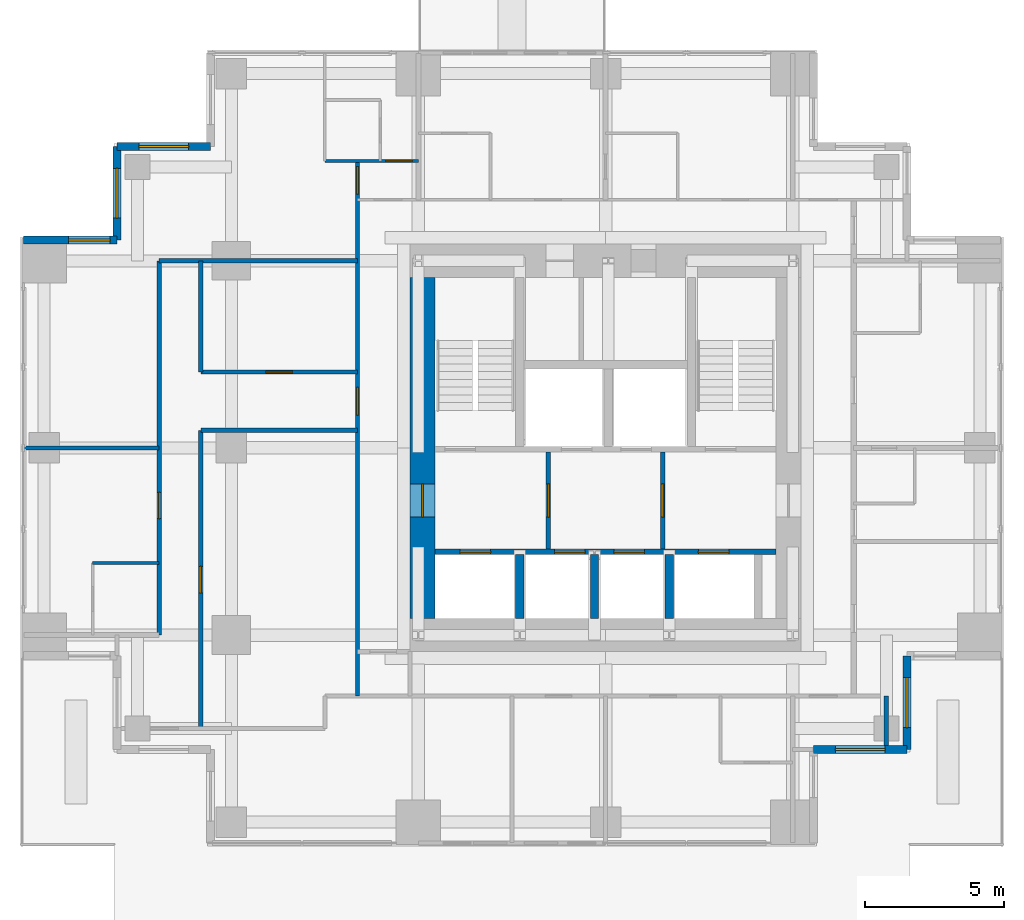
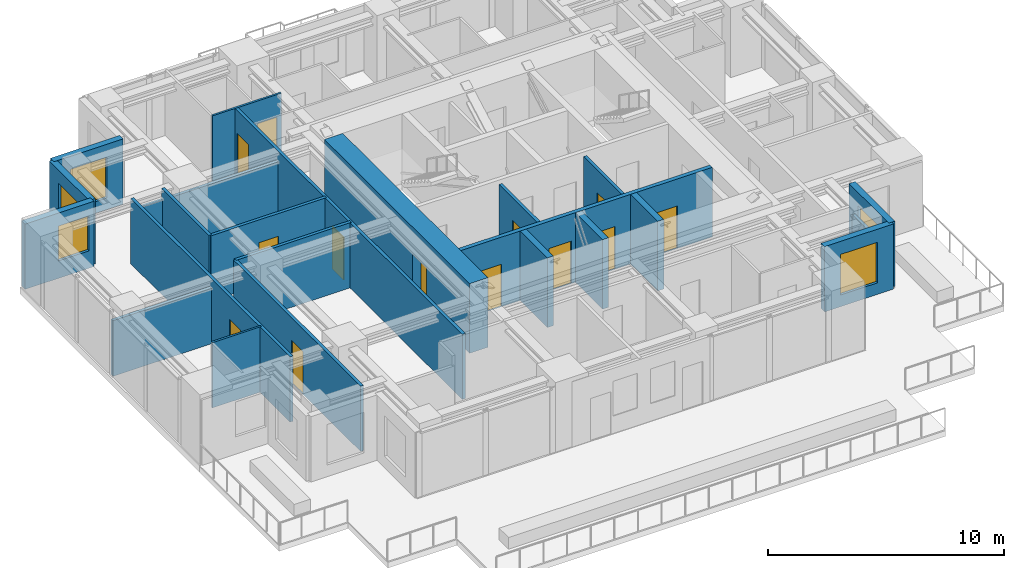
# One storey, part 4 of 7: 23 walls, 13 doors, 5 windows, 18 openings.
"""IFC4 building model written with IfcOpenShell, lengths in metres."""

from ifc_helpers import new_model, si_unit, direction, frame, frame_2d, origin, place, context, subcontext, project, spatial, rectangle, extrude, material, layer, layer_set, type_object, element, fill, save


model = new_model("IFC4")

# Units and contexts
model_context = context("Model", 3, precision=1e-05, world=origin(), true_north=direction((0.0, 1.0)))
body_context = subcontext(model_context, "Body", "Model", "MODEL_VIEW")
ifc_project = project(units=[si_unit("LENGTHUNIT", "METRE"), si_unit("AREAUNIT", "SQUARE_METRE"), si_unit("VOLUMEUNIT", "CUBIC_METRE"), si_unit("PLANEANGLEUNIT", "RADIAN"), si_unit("MASSUNIT", "GRAM", prefix="KILO")], contexts=[model_context])

# Site, building, storey
site_placement = place(None, origin())
site = spatial("IfcSite", under=ifc_project, at=site_placement, CompositionType="ELEMENT")
building_placement = place(site_placement, origin())
building = spatial("IfcBuilding", under=site, at=building_placement, Name="Nyansa Garden Tower", CompositionType="ELEMENT")
storey_placement = place(building_placement, frame((0.0, 0.0, 204.300048828125)))
storey = spatial("IfcBuildingStorey", under=building, at=storey_placement, Name="L55", CompositionType="ELEMENT", Elevation=204.300048828125)

# Wall, openings, doors
ifc_material_1 = material(Name="Concrete C70/85", Category="concrete")
ifc_layer_1 = layer(ifc_material_1, 0.199951171875)
ifc_layer_set_1 = layer_set([ifc_layer_1], Name="Core inner wall CI200")
wall_type_1 = type_object("IfcWallType", Name="Core inner wall CI200", PredefinedType="SHEAR", material=ifc_layer_set_1)
wall_1_placement = place(storey_placement, frame((14.10009765625, 16.5, 0.0), z_axis=(0.0, 0.0, 1.0), x_axis=(1.0, 0.0, 0.0)))
wall_1 = element("IfcWall", 1, at=wall_1_placement, inside=storey, type_object=wall_type_1, Name="Core inner wall L55", PredefinedType="SHEAR", context=body_context, shape_type="SweptSolid", body=[
    extrude(rectangle(XDim=12.2998046875, YDim=0.199951171875, at=frame_2d((6.14990234375, 0.0))), origin(), (0.0, 0.0, 1.0), 3.599853515625),
])
opening_1_placement = place(wall_1_placement, frame((0.89990234375, 0.0, 0.0)))
opening_1 = element("IfcOpeningElement", 2, at=opening_1_placement, cuts=wall_1, Name="Opening LD-F", PredefinedType="OPENING", context=body_context, shape_type="SweptSolid", body=[
    extrude(rectangle(XDim=1.10009765625, YDim=2.199951171875, at=frame_2d((0.550048828125, 1.10009765625))), frame((0.0, 0.10986328125, 0.0), z_axis=(0.0, -1.0, 0.0), x_axis=(1.0, 0.0, 0.0)), (0.0, 0.0, 1.0), 0.219970703125),
])
opening_2_placement = place(wall_1_placement, frame((4.31005859375, 0.0, 0.0)))
opening_2 = element("IfcOpeningElement", 3, at=opening_2_placement, cuts=wall_1, Name="Opening LD-B", PredefinedType="OPENING", context=body_context, shape_type="SweptSolid", body=[
    extrude(rectangle(XDim=1.10009765625, YDim=2.199951171875, at=frame_2d((0.550048828125, 1.10009765625))), frame((0.0, 0.10986328125, 0.0), z_axis=(0.0, -1.0, 0.0), x_axis=(1.0, 0.0, 0.0)), (0.0, 0.0, 1.0), 0.219970703125),
])
opening_3_placement = place(wall_1_placement, frame((6.449951171875, 0.0, 0.0)))
opening_3 = element("IfcOpeningElement", 4, at=opening_3_placement, cuts=wall_1, Name="Opening LD-B", PredefinedType="OPENING", context=body_context, shape_type="SweptSolid", body=[
    extrude(rectangle(XDim=1.10009765625, YDim=2.199951171875, at=frame_2d((0.550048828125, 1.10009765625))), frame((0.0, 0.10986328125, 0.0), z_axis=(0.0, -1.0, 0.0), x_axis=(1.0, 0.0, 0.0)), (0.0, 0.0, 1.0), 0.219970703125),
])
opening_4_placement = place(wall_1_placement, frame((9.5, 0.0, 0.0)))
opening_4 = element("IfcOpeningElement", 5, at=opening_4_placement, cuts=wall_1, Name="Opening LD-F", PredefinedType="OPENING", context=body_context, shape_type="SweptSolid", body=[
    extrude(rectangle(XDim=1.10009765625, YDim=2.199951171875, at=frame_2d((0.550048828125, 1.10009765625))), frame((0.0, 0.10986328125, 0.0), z_axis=(0.0, -1.0, 0.0), x_axis=(1.0, 0.0, 0.0)), (0.0, 0.0, 1.0), 0.219970703125),
])
ifc_material_2 = material(Name="Stainless steel centre-opening landing door of the high-rise lift, E 120", Category="steel")
door_type_1 = type_object("IfcDoorType", Name="Lift landing door LD-B 1100x2200", OperationType="DOUBLE_DOOR_SLIDING", PredefinedType="DOOR", material=ifc_material_2)
door_1_placement = place(opening_2_placement, origin())
door_1 = element("IfcDoor", 6, at=door_1_placement, inside=storey, type_object=door_type_1, Name="Landing door B1", OperationType="DOUBLE_DOOR_SLIDING", OverallHeight=2.199951171875, OverallWidth=1.10009765625, PredefinedType="DOOR", context=body_context, shape_type="SweptSolid", body=[
    extrude(rectangle(XDim=1.10009765625, YDim=2.199951171875, at=frame_2d((0.550048828125, 1.10009765625))), frame((0.0, 0.02490234375, 0.0), z_axis=(0.0, -1.0, 0.0), x_axis=(1.0, 0.0, 0.0)), (0.0, 0.0, 1.0), 0.050048828125),
])
fill(opening_2, door_1)
door_2_placement = place(opening_3_placement, origin())
door_2 = element("IfcDoor", 7, at=door_2_placement, inside=storey, type_object=door_type_1, Name="Landing door B2", OperationType="DOUBLE_DOOR_SLIDING", OverallHeight=2.199951171875, OverallWidth=1.10009765625, PredefinedType="DOOR", context=body_context, shape_type="SweptSolid", body=[
    extrude(rectangle(XDim=1.10009765625, YDim=2.199951171875, at=frame_2d((0.550048828125, 1.10009765625))), frame((0.0, 0.02490234375, 0.0), z_axis=(0.0, -1.0, 0.0), x_axis=(1.0, 0.0, 0.0)), (0.0, 0.0, 1.0), 0.050048828125),
])
fill(opening_3, door_2)
ifc_material_3 = material(Name="Stainless steel centre-opening landing door of the firefighting lift, EN 81-72, E 120", Category="steel")
door_type_2 = type_object("IfcDoorType", Name="Lift landing door LD-F 1100x2200", OperationType="DOUBLE_DOOR_SLIDING", PredefinedType="DOOR", material=ifc_material_3)
door_3_placement = place(opening_1_placement, origin())
door_3 = element("IfcDoor", 8, at=door_3_placement, inside=storey, type_object=door_type_2, Name="Landing door FF1", OperationType="DOUBLE_DOOR_SLIDING", OverallHeight=2.199951171875, OverallWidth=1.10009765625, PredefinedType="DOOR", context=body_context, shape_type="SweptSolid", body=[
    extrude(rectangle(XDim=1.10009765625, YDim=2.199951171875, at=frame_2d((0.550048828125, 1.10009765625))), frame((0.0, 0.02490234375, 0.0), z_axis=(0.0, -1.0, 0.0), x_axis=(1.0, 0.0, 0.0)), (0.0, 0.0, 1.0), 0.050048828125),
])
fill(opening_1, door_3)
door_4_placement = place(opening_4_placement, origin())
door_4 = element("IfcDoor", 9, at=door_4_placement, inside=storey, type_object=door_type_2, Name="Landing door FF2", OperationType="DOUBLE_DOOR_SLIDING", OverallHeight=2.199951171875, OverallWidth=1.10009765625, PredefinedType="DOOR", context=body_context, shape_type="SweptSolid", body=[
    extrude(rectangle(XDim=1.10009765625, YDim=2.199951171875, at=frame_2d((0.550048828125, 1.10009765625))), frame((0.0, 0.02490234375, 0.0), z_axis=(0.0, -1.0, 0.0), x_axis=(1.0, 0.0, 0.0)), (0.0, 0.0, 1.0), 0.050048828125),
])
fill(opening_4, door_4)

# Walls
ifc_material_4 = material(Name="Concrete C70/85", Category="concrete")
ifc_layer_2 = layer(ifc_material_4, 0.300048828125)
ifc_layer_set_2 = layer_set([ifc_layer_2], Name="Core inner wall CI300")
wall_type_2 = type_object("IfcWallType", Name="Core inner wall CI300", PredefinedType="SHEAR", material=ifc_layer_set_2)
for number, where, z_axis, x_axis, name in (
    (10, (17.14990234375, 14.10009765625, 0.0), (0.0, 0.0, 1.0), (0.0, 1.0, 0.0), "Core inner wall L55"),
    (11, (19.85009765625, 14.10009765625, 0.0), (0.0, 0.0, 1.0), (0.0, 1.0, 0.0), "Core inner wall L55"),
    (12, (22.550048828125, 14.10009765625, 0.0), (0.0, 0.0, 1.0), (0.0, 1.0, 0.0), "Core inner wall L55"),
):
    element("IfcWall", number, at=place(storey_placement, frame(where, z_axis=z_axis, x_axis=x_axis)), inside=storey, type_object=wall_type_2, Name=name, PredefinedType="SHEAR", context=body_context, shape_type="SweptSolid", body=[
        extrude(rectangle(XDim=2.2998046875, YDim=0.300048828125, at=frame_2d((1.14990234375, 0.0))), origin(), (0.0, 0.0, 1.0), 3.599853515625),
    ])

# Wall, opening, door
ifc_material_5 = material(Name="Concrete C80/95", Category="concrete")
ifc_layer_3 = layer(ifc_material_5, 0.89990234375)
ifc_layer_set_3 = layer_set([ifc_layer_3], Name="Core wall CW900")
wall_type_3 = type_object("IfcWallType", Name="Core wall CW900", PredefinedType="SHEAR", material=ifc_layer_set_3)
wall_2_placement = place(storey_placement, frame((13.64990234375, 26.39990234375, 0.0), z_axis=(0.0, 0.0, 1.0), x_axis=(0.0, -1.0, 0.0)))
wall_2 = element("IfcWall", 13, at=wall_2_placement, inside=storey, type_object=wall_type_3, Name="Core wall W L55", PredefinedType="SHEAR", context=body_context, shape_type="SweptSolid", body=[
    extrude(rectangle(XDim=12.2998046875, YDim=0.89990234375, at=frame_2d((6.14990234375, 0.0))), origin(), (0.0, 0.0, 1.0), 3.599853515625),
])
opening_5_placement = place(wall_2_placement, frame((7.449951171875, 0.0, 0.0)))
opening_5 = element("IfcOpeningElement", 14, at=opening_5_placement, cuts=wall_2, Name="Opening D06", PredefinedType="OPENING", context=body_context, shape_type="SweptSolid", body=[
    extrude(rectangle(XDim=1.199951171875, YDim=2.199951171875, at=frame_2d((0.60009765625, 1.10009765625))), frame((0.0, 0.4599609375, 0.0), z_axis=(0.0, -1.0, 0.0), x_axis=(1.0, 0.0, 0.0)), (0.0, 0.0, 1.0), 0.919921875),
])
ifc_material_6 = material(Name="Steel door, 120 minute fire resisting", Category="steel")
door_type_3 = type_object("IfcDoorType", Name="Lobby door D06 1200x2200", OperationType="DOUBLE_DOOR_SINGLE_SWING", PredefinedType="DOOR", material=ifc_material_6)
door_5_placement = place(opening_5_placement, origin())
door_5 = element("IfcDoor", 15, at=door_5_placement, inside=storey, type_object=door_type_3, Name="Lift lobby door west", OperationType="DOUBLE_DOOR_SINGLE_SWING", OverallHeight=2.199951171875, OverallWidth=1.199951171875, PredefinedType="DOOR", context=body_context, shape_type="SweptSolid", body=[
    extrude(rectangle(XDim=1.199951171875, YDim=2.199951171875, at=frame_2d((0.60009765625, 1.10009765625))), frame((0.0, 0.02490234375, 0.0), z_axis=(0.0, -1.0, 0.0), x_axis=(1.0, 0.0, 0.0)), (0.0, 0.0, 1.0), 0.050048828125),
])
fill(opening_5, door_5)

ifc_material_7 = material(Name="Blockwork, plastered both sides", Category="masonry")
ifc_layer_4 = layer(ifc_material_7, 0.14990234375)
ifc_layer_set_4 = layer_set([ifc_layer_4], Name="Partition PW150")
wall_type_4 = type_object("IfcWallType", Name="Partition PW150", PredefinedType="PARTITIONING", material=ifc_layer_set_4)
wall_3_placement = place(storey_placement, frame((18.18505859375, 16.60009765625, 0.0), z_axis=(0.0, 0.0, 1.0), x_axis=(0.0, 1.0, 0.0)))
wall_3 = element("IfcWall", 16, at=wall_3_placement, inside=storey, type_object=wall_type_4, Name="Partition", PredefinedType="PARTITIONING", context=body_context, shape_type="SweptSolid", body=[
    extrude(rectangle(XDim=3.5, YDim=0.14990234375, at=frame_2d((1.75, 0.0))), origin(), (0.0, 0.0, 1.0), 3.375),
])
opening_6_placement = place(wall_3_placement, frame((1.14990234375, 0.0, 0.0)))
opening_6 = element("IfcOpeningElement", 17, at=opening_6_placement, cuts=wall_3, Name="Opening D06", PredefinedType="OPENING", context=body_context, shape_type="SweptSolid", body=[
    extrude(rectangle(XDim=1.199951171875, YDim=2.199951171875, at=frame_2d((0.60009765625, 1.10009765625))), frame((0.0, 0.0849609375, 0.0), z_axis=(0.0, -1.0, 0.0), x_axis=(1.0, 0.0, 0.0)), (0.0, 0.0, 1.0), 0.169921875),
])
door_6_placement = place(opening_6_placement, origin())
door_6 = element("IfcDoor", 18, at=door_6_placement, inside=storey, type_object=door_type_3, Name="Passenger lift lobby door", OperationType="DOUBLE_DOOR_SINGLE_SWING", OverallHeight=2.199951171875, OverallWidth=1.199951171875, PredefinedType="DOOR", context=body_context, shape_type="SweptSolid", body=[
    extrude(rectangle(XDim=1.199951171875, YDim=2.199951171875, at=frame_2d((0.60009765625, 1.10009765625))), frame((0.0, 0.02490234375, 0.0), z_axis=(0.0, -1.0, 0.0), x_axis=(1.0, 0.0, 0.0)), (0.0, 0.0, 1.0), 0.050048828125),
])
fill(opening_6, door_6)

wall_4_placement = place(storey_placement, frame((22.31494140625, 16.60009765625, 0.0), z_axis=(0.0, 0.0, 1.0), x_axis=(0.0, 1.0, 0.0)))
wall_4 = element("IfcWall", 19, at=wall_4_placement, inside=storey, type_object=wall_type_4, Name="Partition", PredefinedType="PARTITIONING", context=body_context, shape_type="SweptSolid", body=[
    extrude(rectangle(XDim=3.5, YDim=0.14990234375, at=frame_2d((1.75, 0.0))), origin(), (0.0, 0.0, 1.0), 3.375),
])
opening_7_placement = place(wall_4_placement, frame((1.14990234375, 0.0, 0.0)))
opening_7 = element("IfcOpeningElement", 20, at=opening_7_placement, cuts=wall_4, Name="Opening D06", PredefinedType="OPENING", context=body_context, shape_type="SweptSolid", body=[
    extrude(rectangle(XDim=1.199951171875, YDim=2.199951171875, at=frame_2d((0.60009765625, 1.10009765625))), frame((0.0, 0.0849609375, 0.0), z_axis=(0.0, -1.0, 0.0), x_axis=(1.0, 0.0, 0.0)), (0.0, 0.0, 1.0), 0.169921875),
])
door_7_placement = place(opening_7_placement, origin())
door_7 = element("IfcDoor", 21, at=door_7_placement, inside=storey, type_object=door_type_3, Name="Passenger lift lobby door", OperationType="DOUBLE_DOOR_SINGLE_SWING", OverallHeight=2.199951171875, OverallWidth=1.199951171875, PredefinedType="DOOR", context=body_context, shape_type="SweptSolid", body=[
    extrude(rectangle(XDim=1.199951171875, YDim=2.199951171875, at=frame_2d((0.60009765625, 1.10009765625))), frame((0.0, 0.02490234375, 0.0), z_axis=(0.0, -1.0, 0.0), x_axis=(1.0, 0.0, 0.0)), (0.0, 0.0, 1.0), 0.050048828125),
])
fill(opening_7, door_7)

# Wall
wall_5_placement = place(storey_placement, frame((-0.73388671875, 20.25, 0.0), z_axis=(0.0, 0.0, 1.0), x_axis=(1.0, 0.0, 0.0)))
element("IfcWall", 22, at=wall_5_placement, inside=storey, type_object=wall_type_4, Name="Partition", PredefinedType="PARTITIONING", context=body_context, shape_type="SweptSolid", body=[
    extrude(rectangle(XDim=4.8837890625, YDim=0.14990234375, at=frame_2d((2.44189453125, 0.0))), origin(), (0.0, 0.0, 1.0), 2.876953125),
])

# Wall, opening, door
wall_6_placement = place(storey_placement, frame((4.14990234375, 13.5, 0.0), z_axis=(0.0, 0.0, 1.0), x_axis=(0.0, 1.0, 0.0)))
wall_6 = element("IfcWall", 23, at=wall_6_placement, inside=storey, type_object=wall_type_4, Name="Partition", PredefinedType="PARTITIONING", context=body_context, shape_type="SweptSolid", body=[
    extrude(rectangle(XDim=13.5, YDim=0.14990234375, at=frame_2d((6.75, 0.0))), origin(), (0.0, 0.0, 1.0), 3.375),
])
opening_8_placement = place(wall_6_placement, frame((4.199951171875, 0.0, 0.0)))
opening_8 = element("IfcOpeningElement", 24, at=opening_8_placement, cuts=wall_6, Name="Opening D14", PredefinedType="OPENING", context=body_context, shape_type="SweptSolid", body=[
    extrude(rectangle(XDim=0.949951171875, YDim=2.199951171875, at=frame_2d((0.47509765625, 1.10009765625))), frame((0.0, 0.0849609375, 0.0), z_axis=(0.0, -1.0, 0.0), x_axis=(1.0, 0.0, 0.0)), (0.0, 0.0, 1.0), 0.169921875),
])
ifc_material_8 = material(Name="Timber flush door, 60 minute fire resisting, self-closing", Category="wood")
door_type_4 = type_object("IfcDoorType", Name="Studio entrance door D14 950x2200", OperationType="SINGLE_SWING_LEFT", PredefinedType="DOOR", material=ifc_material_8)
door_8_placement = place(opening_8_placement, origin())
door_8 = element("IfcDoor", 25, at=door_8_placement, inside=storey, type_object=door_type_4, Name="Door L55-038", OperationType="SINGLE_SWING_LEFT", OverallHeight=2.199951171875, OverallWidth=0.949951171875, PredefinedType="DOOR", context=body_context, shape_type="SweptSolid", body=[
    extrude(rectangle(XDim=0.949951171875, YDim=2.199951171875, at=frame_2d((0.47509765625, 1.10009765625))), frame((0.0, 0.02490234375, 0.0), z_axis=(0.0, -1.0, 0.0), x_axis=(1.0, 0.0, 0.0)), (0.0, 0.0, 1.0), 0.050048828125),
])
fill(opening_8, door_8)

# Wall
wall_7_placement = place(storey_placement, frame((4.14990234375, 27.0, 0.0), z_axis=(0.0, 0.0, 1.0), x_axis=(1.0, 0.0, 0.0)))
element("IfcWall", 26, at=wall_7_placement, inside=storey, type_object=wall_type_4, Name="Partition", PredefinedType="PARTITIONING", context=body_context, shape_type="SweptSolid", body=[
    extrude(rectangle(XDim=7.150146484375, YDim=0.14990234375, at=frame_2d((3.5751953125, 0.0))), origin(), (0.0, 0.0, 1.0), 2.805908203125),
])

# Wall, opening, door
wall_8_placement = place(storey_placement, frame((5.64990234375, 10.125, 0.0), z_axis=(0.0, 0.0, 1.0), x_axis=(0.0, 1.0, 0.0)))
wall_8 = element("IfcWall", 27, at=wall_8_placement, inside=storey, type_object=wall_type_4, Name="Partition", PredefinedType="PARTITIONING", context=body_context, shape_type="SweptSolid", body=[
    extrude(rectangle(XDim=10.762451171875, YDim=0.14990234375, at=frame_2d((5.38134765625, 0.0))), origin(), (0.0, 0.0, 1.0), 3.375),
])
opening_9_placement = place(wall_8_placement, frame((4.89990234375, 0.0, 0.0)))
opening_9 = element("IfcOpeningElement", 28, at=opening_9_placement, cuts=wall_8, Name="Opening D01", PredefinedType="OPENING", context=body_context, shape_type="SweptSolid", body=[
    extrude(rectangle(XDim=0.949951171875, YDim=2.199951171875, at=frame_2d((0.47509765625, 1.10009765625))), frame((0.0, 0.0849609375, 0.0), z_axis=(0.0, -1.0, 0.0), x_axis=(1.0, 0.0, 0.0)), (0.0, 0.0, 1.0), 0.169921875),
])
ifc_material_9 = material(Name="Timber flush door, 30 minute fire resisting", Category="wood")
door_type_5 = type_object("IfcDoorType", Name="Bedroom door D01 950x2200", OperationType="SINGLE_SWING_LEFT", PredefinedType="DOOR", material=ifc_material_9)
door_9_placement = place(opening_9_placement, origin())
door_9 = element("IfcDoor", 29, at=door_9_placement, inside=storey, type_object=door_type_5, Name="Door L55-042", OperationType="SINGLE_SWING_LEFT", OverallHeight=2.199951171875, OverallWidth=0.949951171875, PredefinedType="DOOR", context=body_context, shape_type="SweptSolid", body=[
    extrude(rectangle(XDim=0.949951171875, YDim=2.199951171875, at=frame_2d((0.47509765625, 1.10009765625))), frame((0.0, 0.02490234375, 0.0), z_axis=(0.0, -1.0, 0.0), x_axis=(1.0, 0.0, 0.0)), (0.0, 0.0, 1.0), 0.050048828125),
])
fill(opening_9, door_9)

# Walls
wall_9_placement = place(storey_placement, frame((5.64990234375, 20.886962890625, 0.0), z_axis=(0.0, 0.0, 1.0), x_axis=(1.0, 0.0, 0.0)))
element("IfcWall", 30, at=wall_9_placement, inside=storey, type_object=wall_type_4, Name="Partition", PredefinedType="PARTITIONING", context=body_context, shape_type="SweptSolid", body=[
    extrude(rectangle(XDim=5.650146484375, YDim=0.14990234375, at=frame_2d((2.8251953125, 0.0))), origin(), (0.0, 0.0, 1.0), 3.375),
])
wall_10_placement = place(storey_placement, frame((5.64990234375, 22.987548828125, 0.0), z_axis=(0.0, 0.0, 1.0), x_axis=(0.0, 1.0, 0.0)))
element("IfcWall", 31, at=wall_10_placement, inside=storey, type_object=wall_type_4, Name="Partition", PredefinedType="PARTITIONING", context=body_context, shape_type="SweptSolid", body=[
    extrude(rectangle(XDim=4.012451171875, YDim=0.14990234375, at=frame_2d((2.00634765625, 0.0))), origin(), (0.0, 0.0, 1.0), 3.375),
])

# Wall, opening, door
wall_11_placement = place(storey_placement, frame((5.64990234375, 22.988037109375, 0.0), z_axis=(0.0, 0.0, 1.0), x_axis=(1.0, 0.0, 0.0)))
wall_11 = element("IfcWall", 32, at=wall_11_placement, inside=storey, type_object=wall_type_4, Name="Partition", PredefinedType="PARTITIONING", context=body_context, shape_type="SweptSolid", body=[
    extrude(rectangle(XDim=5.650146484375, YDim=0.14990234375, at=frame_2d((2.8251953125, 0.0))), origin(), (0.0, 0.0, 1.0), 3.375),
])
opening_10_placement = place(wall_11_placement, frame((2.35009765625, 0.0, 0.0)))
opening_10 = element("IfcOpeningElement", 33, at=opening_10_placement, cuts=wall_11, Name="Opening D01", PredefinedType="OPENING", context=body_context, shape_type="SweptSolid", body=[
    extrude(rectangle(XDim=0.949951171875, YDim=2.199951171875, at=frame_2d((0.47509765625, 1.10009765625))), frame((0.0, 0.0849609375, 0.0), z_axis=(0.0, -1.0, 0.0), x_axis=(1.0, 0.0, 0.0)), (0.0, 0.0, 1.0), 0.169921875),
])
door_10_placement = place(opening_10_placement, origin())
door_10 = element("IfcDoor", 34, at=door_10_placement, inside=storey, type_object=door_type_5, Name="Door L55-041", OperationType="SINGLE_SWING_LEFT", OverallHeight=2.199951171875, OverallWidth=0.949951171875, PredefinedType="DOOR", context=body_context, shape_type="SweptSolid", body=[
    extrude(rectangle(XDim=0.949951171875, YDim=2.199951171875, at=frame_2d((0.47509765625, 1.10009765625))), frame((0.0, 0.02490234375, 0.0), z_axis=(0.0, -1.0, 0.0), x_axis=(1.0, 0.0, 0.0)), (0.0, 0.0, 1.0), 0.050048828125),
])
fill(opening_10, door_10)

# Wall, openings, doors
wall_12_placement = place(storey_placement, frame((11.300048828125, 11.300048828125, 0.0), z_axis=(0.0, 0.0, 1.0), x_axis=(0.0, 1.0, 0.0)))
wall_12 = element("IfcWall", 35, at=wall_12_placement, inside=storey, type_object=wall_type_4, Name="Partition", PredefinedType="PARTITIONING", context=body_context, shape_type="SweptSolid", body=[
    extrude(rectangle(XDim=19.300048828125, YDim=0.14990234375, at=frame_2d((9.64990234375, 0.0))), origin(), (0.0, 0.0, 1.0), 3.375),
])
opening_11_placement = place(wall_12_placement, frame((18.10009765625, 0.0, 0.0)))
opening_11 = element("IfcOpeningElement", 36, at=opening_11_placement, cuts=wall_12, Name="Opening D03", PredefinedType="OPENING", context=body_context, shape_type="SweptSolid", body=[
    extrude(rectangle(XDim=1.0, YDim=2.199951171875, at=frame_2d((0.5, 1.10009765625))), frame((0.0, 0.0849609375, 0.0), z_axis=(0.0, -1.0, 0.0), x_axis=(1.0, 0.0, 0.0)), (0.0, 0.0, 1.0), 0.169921875),
])
opening_12_placement = place(wall_12_placement, frame((10.137451171875, 0.0, 0.0)))
opening_12 = element("IfcOpeningElement", 37, at=opening_12_placement, cuts=wall_12, Name="Opening D03", PredefinedType="OPENING", context=body_context, shape_type="SweptSolid", body=[
    extrude(rectangle(XDim=1.0, YDim=2.199951171875, at=frame_2d((0.5, 1.10009765625))), frame((0.0, 0.0849609375, 0.0), z_axis=(0.0, -1.0, 0.0), x_axis=(1.0, 0.0, 0.0)), (0.0, 0.0, 1.0), 0.169921875),
])
ifc_material_10 = material(Name="Timber flush door, 60 minute fire resisting", Category="wood")
door_type_6 = type_object("IfcDoorType", Name="Cluster entrance door D03 1000x2200", OperationType="SINGLE_SWING_LEFT", PredefinedType="DOOR", material=ifc_material_10)
door_11_placement = place(opening_11_placement, origin())
door_11 = element("IfcDoor", 38, at=door_11_placement, inside=storey, type_object=door_type_6, Name="Door L55-037", OperationType="SINGLE_SWING_LEFT", OverallHeight=2.199951171875, OverallWidth=1.0, PredefinedType="DOOR", context=body_context, shape_type="SweptSolid", body=[
    extrude(rectangle(XDim=1.0, YDim=2.199951171875, at=frame_2d((0.5, 1.10009765625))), frame((0.0, 0.02490234375, 0.0), z_axis=(0.0, -1.0, 0.0), x_axis=(1.0, 0.0, 0.0)), (0.0, 0.0, 1.0), 0.050048828125),
])
fill(opening_11, door_11)
door_12_placement = place(opening_12_placement, origin())
door_12 = element("IfcDoor", 39, at=door_12_placement, inside=storey, type_object=door_type_6, Name="Door L55-040", OperationType="SINGLE_SWING_LEFT", OverallHeight=2.199951171875, OverallWidth=1.0, PredefinedType="DOOR", context=body_context, shape_type="SweptSolid", body=[
    extrude(rectangle(XDim=1.0, YDim=2.199951171875, at=frame_2d((0.5, 1.10009765625))), frame((0.0, 0.02490234375, 0.0), z_axis=(0.0, -1.0, 0.0), x_axis=(1.0, 0.0, 0.0)), (0.0, 0.0, 1.0), 0.050048828125),
])
fill(opening_12, door_12)

# Wall
wall_13_placement = place(storey_placement, frame((30.375, 9.52490234375, 0.0), z_axis=(0.0, 0.0, 1.0), x_axis=(0.0, 1.0, 0.0)))
element("IfcWall", 40, at=wall_13_placement, inside=storey, type_object=wall_type_4, Name="Partition", PredefinedType="PARTITIONING", context=body_context, shape_type="SweptSolid", body=[
    extrude(rectangle(XDim=1.775146484375, YDim=0.14990234375, at=frame_2d((0.8876953125, 0.0))), origin(), (0.0, 0.0, 1.0), 2.876953125),
])

# Wall, opening, window
ifc_material_11 = material(Name="Turquoise glazed tile on concrete blockwork", Category="masonry")
ifc_layer_5 = layer(ifc_material_11, 0.300048828125)
ifc_layer_set_5 = layer_set([ifc_layer_5], Name="Tiled corner wall TW300")
wall_type_5 = type_object("IfcWallType", Name="Tiled corner wall TW300", PredefinedType="SOLIDWALL", material=ifc_layer_set_5)
wall_14_placement = place(storey_placement, frame((6.0, 31.125, 0.0), z_axis=(0.0, 0.0, 1.0), x_axis=(-1.0, 0.0, 0.0)))
wall_14 = element("IfcWall", 41, at=wall_14_placement, inside=storey, type_object=wall_type_5, Name="Tiled corner wall L55", PredefinedType="SOLIDWALL", context=body_context, shape_type="SweptSolid", body=[
    extrude(rectangle(XDim=3.375, YDim=0.300048828125, at=frame_2d((1.6875, 0.0))), origin(), (0.0, 0.0, 1.0), 3.375),
])
opening_13_placement = place(wall_14_placement, frame((0.78759765625, 0.0, 0.60009765625)))
opening_13 = element("IfcOpeningElement", 42, at=opening_13_placement, cuts=wall_14, Name="Opening W2", PredefinedType="OPENING", context=body_context, shape_type="SweptSolid", body=[
    extrude(rectangle(XDim=1.800048828125, YDim=2.10009765625, at=frame_2d((0.89990234375, 1.050048828125))), frame((0.0, 0.159912109375, 0.0), z_axis=(0.0, -1.0, 0.0), x_axis=(1.0, 0.0, 0.0)), (0.0, 0.0, 1.0), 0.320068359375),
])
ifc_material_12 = material(Name="Black aluminium frame, dark tinted double glazing", Category="aluminium")
window_type_1 = type_object("IfcWindowType", Name="Window W2 1800x2100", PartitioningType="SINGLE_PANEL", PredefinedType="WINDOW", material=ifc_material_12)
window_1_placement = place(opening_13_placement, origin())
window_1 = element("IfcWindow", 43, at=window_1_placement, inside=storey, type_object=window_type_1, Name="Corner window L55", OverallHeight=2.10009765625, OverallWidth=1.800048828125, PartitioningType="SINGLE_PANEL", PredefinedType="WINDOW", context=body_context, shape_type="SweptSolid", body=[
    extrude(rectangle(XDim=1.800048828125, YDim=2.10009765625, at=frame_2d((0.89990234375, 1.050048828125))), frame((0.0, 0.030029296875, 0.0), z_axis=(0.0, -1.0, 0.0), x_axis=(1.0, 0.0, 0.0)), (0.0, 0.0, 1.0), 0.06005859375),
])
fill(opening_13, window_1)

wall_15_placement = place(storey_placement, frame((2.625, 31.125, 0.0), z_axis=(0.0, 0.0, 1.0), x_axis=(0.0, -1.0, 0.0)))
wall_15 = element("IfcWall", 44, at=wall_15_placement, inside=storey, type_object=wall_type_5, Name="Tiled corner wall L55", PredefinedType="SOLIDWALL", context=body_context, shape_type="SweptSolid", body=[
    extrude(rectangle(XDim=3.375, YDim=0.300048828125, at=frame_2d((1.6875, 0.0))), origin(), (0.0, 0.0, 1.0), 3.375),
])
opening_14_placement = place(wall_15_placement, frame((0.78759765625, 0.0, 0.60009765625)))
opening_14 = element("IfcOpeningElement", 45, at=opening_14_placement, cuts=wall_15, Name="Opening W2", PredefinedType="OPENING", context=body_context, shape_type="SweptSolid", body=[
    extrude(rectangle(XDim=1.800048828125, YDim=2.10009765625, at=frame_2d((0.89990234375, 1.050048828125))), frame((0.0, 0.159912109375, 0.0), z_axis=(0.0, -1.0, 0.0), x_axis=(1.0, 0.0, 0.0)), (0.0, 0.0, 1.0), 0.320068359375),
])
window_2_placement = place(opening_14_placement, origin())
window_2 = element("IfcWindow", 46, at=window_2_placement, inside=storey, type_object=window_type_1, Name="Corner window L55", OverallHeight=2.10009765625, OverallWidth=1.800048828125, PartitioningType="SINGLE_PANEL", PredefinedType="WINDOW", context=body_context, shape_type="SweptSolid", body=[
    extrude(rectangle(XDim=1.800048828125, YDim=2.10009765625, at=frame_2d((0.89990234375, 1.050048828125))), frame((0.0, 0.030029296875, 0.0), z_axis=(0.0, -1.0, 0.0), x_axis=(1.0, 0.0, 0.0)), (0.0, 0.0, 1.0), 0.06005859375),
])
fill(opening_14, window_2)

wall_16_placement = place(storey_placement, frame((2.625, 27.75, 0.0), z_axis=(0.0, 0.0, 1.0), x_axis=(-1.0, 0.0, 0.0)))
wall_16 = element("IfcWall", 47, at=wall_16_placement, inside=storey, type_object=wall_type_5, Name="Tiled corner wall L55", PredefinedType="SOLIDWALL", context=body_context, shape_type="SweptSolid", body=[
    extrude(rectangle(XDim=3.375, YDim=0.300048828125, at=frame_2d((1.6875, 0.0))), origin(), (0.0, 0.0, 1.0), 3.375),
])
opening_15_placement = place(wall_16_placement, frame((0.242431640625, 0.0, 0.89990234375)))
opening_15 = element("IfcOpeningElement", 48, at=opening_15_placement, cuts=wall_16, Name="Opening W1", PredefinedType="OPENING", context=body_context, shape_type="SweptSolid", body=[
    extrude(rectangle(XDim=1.5, YDim=1.800048828125, at=frame_2d((0.75, 0.89990234375))), frame((0.0, 0.159912109375, 0.0), z_axis=(0.0, -1.0, 0.0), x_axis=(1.0, 0.0, 0.0)), (0.0, 0.0, 1.0), 0.320068359375),
])
ifc_material_13 = material(Name="Black aluminium frame, dark tinted double glazing", Category="aluminium")
window_type_2 = type_object("IfcWindowType", Name="Window W1 1500x1800", PartitioningType="SINGLE_PANEL", PredefinedType="WINDOW", material=ifc_material_13)
window_3_placement = place(opening_15_placement, origin())
window_3 = element("IfcWindow", 49, at=window_3_placement, inside=storey, type_object=window_type_2, Name="Corner window L55", OverallHeight=1.800048828125, OverallWidth=1.5, PartitioningType="SINGLE_PANEL", PredefinedType="WINDOW", context=body_context, shape_type="SweptSolid", body=[
    extrude(rectangle(XDim=1.5, YDim=1.800048828125, at=frame_2d((0.75, 0.89990234375))), frame((0.0, 0.030029296875, 0.0), z_axis=(0.0, -1.0, 0.0), x_axis=(1.0, 0.0, 0.0)), (0.0, 0.0, 1.0), 0.06005859375),
])
fill(opening_15, window_3)

wall_17_placement = place(storey_placement, frame((27.75, 9.375, 0.0), z_axis=(0.0, 0.0, 1.0), x_axis=(1.0, 0.0, 0.0)))
wall_17 = element("IfcWall", 50, at=wall_17_placement, inside=storey, type_object=wall_type_5, Name="Tiled corner wall L55", PredefinedType="SOLIDWALL", context=body_context, shape_type="SweptSolid", body=[
    extrude(rectangle(XDim=3.375, YDim=0.300048828125, at=frame_2d((1.6875, 0.0))), origin(), (0.0, 0.0, 1.0), 3.375),
])
opening_16_placement = place(wall_17_placement, frame((0.78759765625, 0.0, 0.60009765625)))
opening_16 = element("IfcOpeningElement", 51, at=opening_16_placement, cuts=wall_17, Name="Opening W2", PredefinedType="OPENING", context=body_context, shape_type="SweptSolid", body=[
    extrude(rectangle(XDim=1.800048828125, YDim=2.10009765625, at=frame_2d((0.89990234375, 1.050048828125))), frame((0.0, 0.159912109375, 0.0), z_axis=(0.0, -1.0, 0.0), x_axis=(1.0, 0.0, 0.0)), (0.0, 0.0, 1.0), 0.320068359375),
])
window_4_placement = place(opening_16_placement, origin())
window_4 = element("IfcWindow", 52, at=window_4_placement, inside=storey, type_object=window_type_1, Name="Corner window L55", OverallHeight=2.10009765625, OverallWidth=1.800048828125, PartitioningType="SINGLE_PANEL", PredefinedType="WINDOW", context=body_context, shape_type="SweptSolid", body=[
    extrude(rectangle(XDim=1.800048828125, YDim=2.10009765625, at=frame_2d((0.89990234375, 1.050048828125))), frame((0.0, 0.030029296875, 0.0), z_axis=(0.0, -1.0, 0.0), x_axis=(1.0, 0.0, 0.0)), (0.0, 0.0, 1.0), 0.06005859375),
])
fill(opening_16, window_4)

wall_18_placement = place(storey_placement, frame((31.125, 9.375, 0.0), z_axis=(0.0, 0.0, 1.0), x_axis=(0.0, 1.0, 0.0)))
wall_18 = element("IfcWall", 53, at=wall_18_placement, inside=storey, type_object=wall_type_5, Name="Tiled corner wall L55", PredefinedType="SOLIDWALL", context=body_context, shape_type="SweptSolid", body=[
    extrude(rectangle(XDim=3.375, YDim=0.300048828125, at=frame_2d((1.6875, 0.0))), origin(), (0.0, 0.0, 1.0), 3.375),
])
opening_17_placement = place(wall_18_placement, frame((0.78759765625, 0.0, 0.60009765625)))
opening_17 = element("IfcOpeningElement", 54, at=opening_17_placement, cuts=wall_18, Name="Opening W2", PredefinedType="OPENING", context=body_context, shape_type="SweptSolid", body=[
    extrude(rectangle(XDim=1.800048828125, YDim=2.10009765625, at=frame_2d((0.89990234375, 1.050048828125))), frame((0.0, 0.159912109375, 0.0), z_axis=(0.0, -1.0, 0.0), x_axis=(1.0, 0.0, 0.0)), (0.0, 0.0, 1.0), 0.320068359375),
])
window_5_placement = place(opening_17_placement, origin())
window_5 = element("IfcWindow", 55, at=window_5_placement, inside=storey, type_object=window_type_1, Name="Corner window L55", OverallHeight=2.10009765625, OverallWidth=1.800048828125, PartitioningType="SINGLE_PANEL", PredefinedType="WINDOW", context=body_context, shape_type="SweptSolid", body=[
    extrude(rectangle(XDim=1.800048828125, YDim=2.10009765625, at=frame_2d((0.89990234375, 1.050048828125))), frame((0.0, 0.030029296875, 0.0), z_axis=(0.0, -1.0, 0.0), x_axis=(1.0, 0.0, 0.0)), (0.0, 0.0, 1.0), 0.06005859375),
])
fill(opening_17, window_5)

# Wall
ifc_material_14 = material(Name="Moisture resistant board on steel studs, tiled", Category="steel")
ifc_layer_6 = layer(ifc_material_14, 0.10009765625)
ifc_layer_set_6 = layer_set([ifc_layer_6], Name="Wet wall PW100")
wall_type_6 = type_object("IfcWallType", Name="Wet wall PW100", PredefinedType="PARTITIONING", material=ifc_layer_set_6)
wall_19_placement = place(storey_placement, frame((1.75, 16.10009765625, 0.0), z_axis=(0.0, 0.0, 1.0), x_axis=(1.0, 0.0, 0.0)))
element("IfcWall", 56, at=wall_19_placement, inside=storey, type_object=wall_type_6, Name="Wet wall", PredefinedType="PARTITIONING", context=body_context, shape_type="SweptSolid", body=[
    extrude(rectangle(XDim=2.39990234375, YDim=0.10009765625, at=frame_2d((1.199951171875, 0.0))), origin(), (0.0, 0.0, 1.0), 3.375),
])

# Wall, opening, door
wall_20_placement = place(storey_placement, frame((10.125, 30.60009765625, 0.0), z_axis=(0.0, 0.0, 1.0), x_axis=(1.0, 0.0, 0.0)))
wall_20 = element("IfcWall", 57, at=wall_20_placement, inside=storey, type_object=wall_type_6, Name="Wet wall", PredefinedType="PARTITIONING", context=body_context, shape_type="SweptSolid", body=[
    extrude(rectangle(XDim=3.375, YDim=0.10009765625, at=frame_2d((1.6875, 0.0))), origin(), (0.0, 0.0, 1.0), 3.375),
])
opening_18_placement = place(wall_20_placement, frame((2.199951171875, 0.0, 0.0)))
opening_18 = element("IfcOpeningElement", 58, at=opening_18_placement, cuts=wall_20, Name="Opening D14", PredefinedType="OPENING", context=body_context, shape_type="SweptSolid", body=[
    extrude(rectangle(XDim=0.949951171875, YDim=2.199951171875, at=frame_2d((0.47509765625, 1.10009765625))), frame((0.0, 0.06005859375, 0.0), z_axis=(0.0, -1.0, 0.0), x_axis=(1.0, 0.0, 0.0)), (0.0, 0.0, 1.0), 0.1201171875),
])
door_13_placement = place(opening_18_placement, origin())
door_13 = element("IfcDoor", 59, at=door_13_placement, inside=storey, type_object=door_type_4, Name="Door L55-034", OperationType="SINGLE_SWING_LEFT", OverallHeight=2.199951171875, OverallWidth=0.949951171875, PredefinedType="DOOR", context=body_context, shape_type="SweptSolid", body=[
    extrude(rectangle(XDim=0.949951171875, YDim=2.199951171875, at=frame_2d((0.47509765625, 1.10009765625))), frame((0.0, 0.02490234375, 0.0), z_axis=(0.0, -1.0, 0.0), x_axis=(1.0, 0.0, 0.0)), (0.0, 0.0, 1.0), 0.050048828125),
])
fill(opening_18, door_13)

save(model, "model.ifc")
